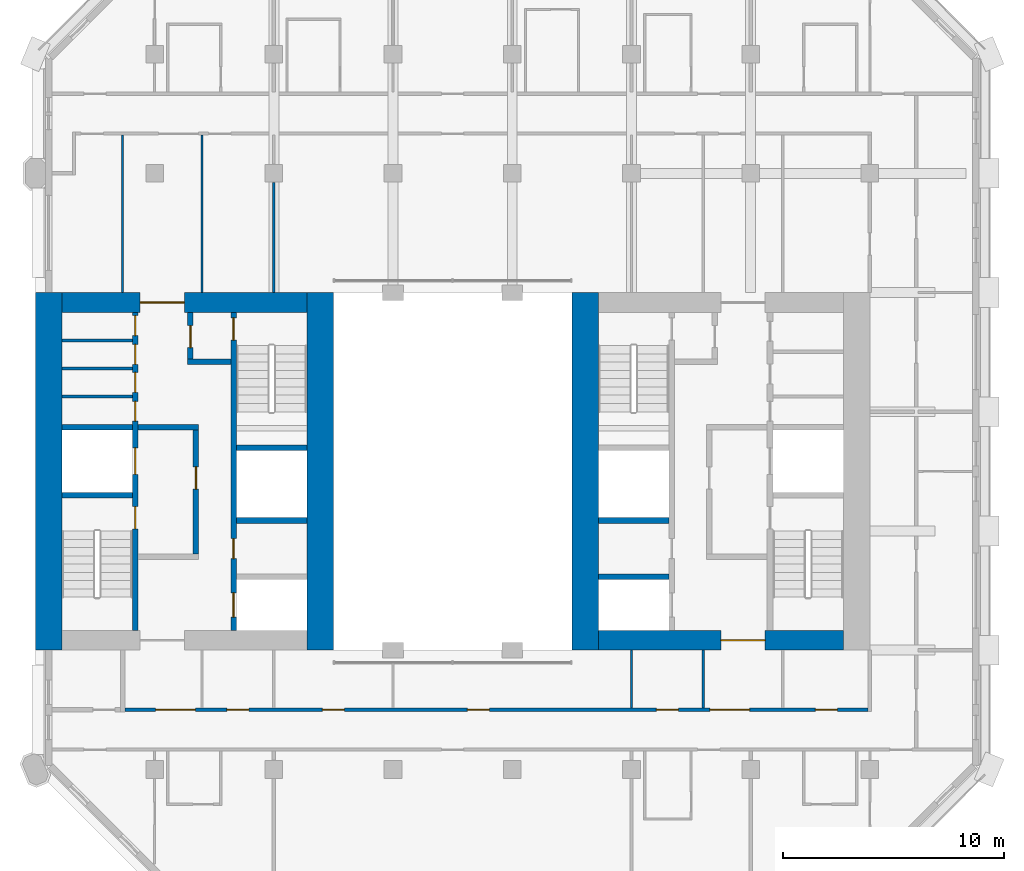
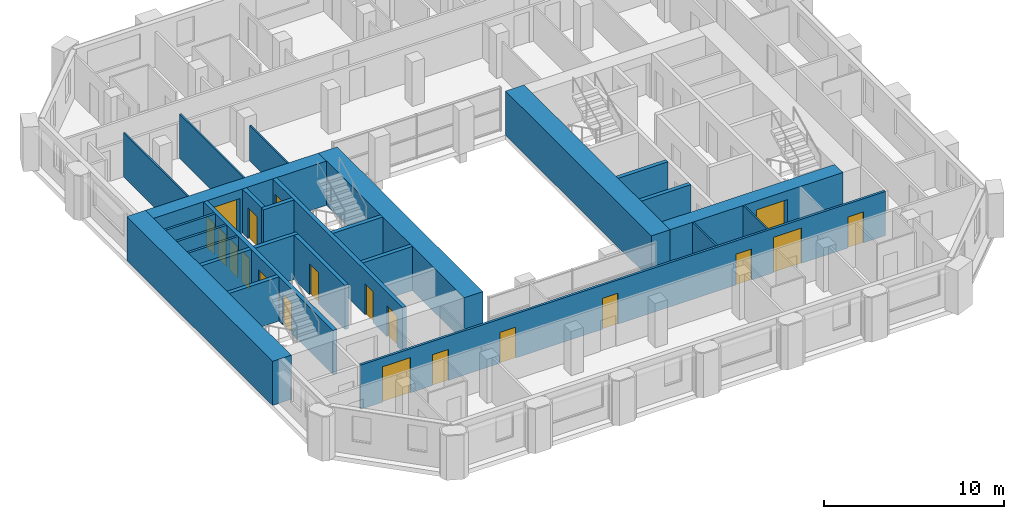
# One storey, part 5 of 12: 26 walls, 20 doors, 20 openings.
"""IFC4 building model written with IfcOpenShell, lengths in metres."""

from ifc_helpers import new_model, si_unit, direction, frame, frame_2d, origin, place, context, subcontext, project, spatial, rectangle, extrude, material, layer, layer_set, type_object, element, fill, save


model = new_model("IFC4")

# Units and contexts
model_context = context("Model", 3, precision=1e-05, world=origin(), true_north=direction((0.0, 1.0)))
body_context = subcontext(model_context, "Body", "Model", "MODEL_VIEW")
ifc_project = project(units=[si_unit("LENGTHUNIT", "METRE"), si_unit("AREAUNIT", "SQUARE_METRE"), si_unit("VOLUMEUNIT", "CUBIC_METRE"), si_unit("PLANEANGLEUNIT", "RADIAN"), si_unit("MASSUNIT", "GRAM", prefix="KILO")], contexts=[model_context])

# Site, building, storey
site_placement = place(None, origin())
site = spatial("IfcSite", under=ifc_project, at=site_placement, CompositionType="ELEMENT")
building_placement = place(site_placement, origin())
building = spatial("IfcBuilding", under=site, at=building_placement, Name="Tabaq Tower and Sports Hall", CompositionType="ELEMENT")
storey_placement = place(building_placement, frame((0.0, 0.0, 197.199951171875)))
storey = spatial("IfcBuildingStorey", under=building, at=storey_placement, Name="L48", CompositionType="ELEMENT", Elevation=197.199951171875)

# Walls
ifc_material_1 = material(Name="Blockwork", Category="masonry")
ifc_layer_1 = layer(ifc_material_1, 0.14990234375)
ifc_layer_set_1 = layer_set([ifc_layer_1], Name="Core room partition 150 Blockwork")
wall_type_1 = type_object("IfcWallType", Name="Core room partition 150 Blockwork", PredefinedType="PARTITIONING", material=ifc_layer_set_1)
for number, where, z_axis, x_axis, name in (
    (1, (6.60009765625, 27.694091796875, 0.0), (0.0, 0.0, 1.0), (1.0, 0.0, 0.0), "Core room partition W L48"),
    (2, (6.60009765625, 28.962890625, 0.0), (0.0, 0.0, 1.0), (1.0, 0.0, 0.0), "Core room partition W L48"),
    (3, (6.60009765625, 30.23193359375, 0.0), (0.0, 0.0, 1.0), (1.0, 0.0, 0.0), "Core room partition W L48"),
):
    element("IfcWall", number, at=place(storey_placement, frame(where, z_axis=z_axis, x_axis=x_axis)), inside=storey, type_object=wall_type_1, Name=name, PredefinedType="PARTITIONING", context=body_context, shape_type="SweptSolid", body=[
        extrude(rectangle(XDim=3.199951171875, YDim=0.14990234375, at=frame_2d((1.60009765625, 0.0))), origin(), (0.0, 0.0, 1.0), 3.0),
    ])
ifc_material_2 = material(Name="Concrete C50/60", Category="concrete")
ifc_layer_2 = layer(ifc_material_2, 1.199951171875)
ifc_layer_set_2 = layer_set([ifc_layer_2], Name="Core wall 1200 Concrete C50/60")
wall_type_2 = type_object("IfcWallType", Name="Core wall 1200 Concrete C50/60", PredefinedType="SOLIDWALL", material=ifc_layer_set_2)
for number, where, z_axis, x_axis, name in (
    (4, (6.0, 16.199951171875, 0.0), (0.0, 0.0, 1.0), (0.0, 1.0, 0.0), "Core wall W L48"),
    (5, (18.300048828125, 32.39990234375, 0.0), (0.0, 0.0, 1.0), (0.0, -1.0, 0.0), "Core wall W L48"),
    (6, (30.300048828125, 16.199951171875, 0.0), (0.0, 0.0, 1.0), (0.0, 1.0, 0.0), "Core wall E L48"),
):
    element("IfcWall", number, at=place(storey_placement, frame(where, z_axis=z_axis, x_axis=x_axis)), inside=storey, type_object=wall_type_2, Name=name, PredefinedType="SOLIDWALL", context=body_context, shape_type="SweptSolid", body=[
        extrude(rectangle(XDim=16.199951171875, YDim=1.199951171875, at=frame_2d((8.10009765625, 0.0))), origin(), (0.0, 0.0, 1.0), 3.0),
    ])

# Wall, opening, door
ifc_material_3 = material(Name="Concrete C50/60", Category="concrete")
ifc_layer_3 = layer(ifc_material_3, 0.89990234375)
ifc_layer_set_3 = layer_set([ifc_layer_3], Name="Core wall 900 Concrete C50/60")
wall_type_3 = type_object("IfcWallType", Name="Core wall 900 Concrete C50/60", PredefinedType="SOLIDWALL", material=ifc_layer_set_3)
wall_1_placement = place(storey_placement, frame((6.60009765625, 31.949951171875, 0.0), z_axis=(0.0, 0.0, 1.0), x_axis=(1.0, 0.0, 0.0)))
wall_1 = element("IfcWall", 7, at=wall_1_placement, inside=storey, type_object=wall_type_3, Name="Core wall W L48", PredefinedType="SOLIDWALL", context=body_context, shape_type="SweptSolid", body=[
    extrude(rectangle(XDim=11.099853515625, YDim=0.89990234375, at=frame_2d((5.5498046875, 0.0))), origin(), (0.0, 0.0, 1.0), 3.0),
])
opening_1_placement = place(wall_1_placement, frame((3.550048828125, 0.0, 0.0)))
opening_1 = element("IfcOpeningElement", 8, at=opening_1_placement, cuts=wall_1, Name="Opening PD-WL48-02", PredefinedType="OPENING", context=body_context, shape_type="SweptSolid", body=[
    extrude(rectangle(XDim=2.0, YDim=2.39990234375, at=frame_2d((1.0, 1.199951171875))), frame((0.0, 0.449951171875, 0.0), z_axis=(0.0, -1.0, 0.0), x_axis=(1.0, 0.0, 0.0)), (0.0, 0.0, 1.0), 0.89990234375),
])
ifc_material_4 = material(Name="Steel fire door", Category="steel")
door_type_1 = type_object("IfcDoorType", Name="Core entrance door 2000", OperationType="DOUBLE_DOOR_SINGLE_SWING", PredefinedType="DOOR", material=ifc_material_4)
door_1_placement = place(opening_1_placement, origin())
door_1 = element("IfcDoor", 9, at=door_1_placement, inside=storey, type_object=door_type_1, Name="Core entrance north W L48", OperationType="DOUBLE_DOOR_SINGLE_SWING", OverallHeight=2.39990234375, OverallWidth=2.0, PredefinedType="DOOR", context=body_context, shape_type="SweptSolid", body=[
    extrude(rectangle(XDim=2.0, YDim=2.39990234375, at=frame_2d((1.0, 1.199951171875))), frame((0.0, 0.02490234375, 0.0), z_axis=(0.0, -1.0, 0.0), x_axis=(1.0, 0.0, 0.0)), (0.0, 0.0, 1.0), 0.050048828125),
])
fill(opening_1, door_1)

wall_2_placement = place(storey_placement, frame((42.0, 16.64990234375, 0.0), z_axis=(0.0, 0.0, 1.0), x_axis=(-1.0, 0.0, 0.0)))
wall_2 = element("IfcWall", 10, at=wall_2_placement, inside=storey, type_object=wall_type_3, Name="Core wall E L48", PredefinedType="SOLIDWALL", context=body_context, shape_type="SweptSolid", body=[
    extrude(rectangle(XDim=11.10009765625, YDim=0.89990234375, at=frame_2d((5.550048828125, 0.0))), origin(), (0.0, 0.0, 1.0), 3.0),
])
opening_2_placement = place(wall_2_placement, frame((3.550048828125, 0.0, 0.0)))
opening_2 = element("IfcOpeningElement", 11, at=opening_2_placement, cuts=wall_2, Name="Opening PD-EL48-01", PredefinedType="OPENING", context=body_context, shape_type="SweptSolid", body=[
    extrude(rectangle(XDim=2.0, YDim=2.39990234375, at=frame_2d((1.0, 1.199951171875))), frame((0.0, 0.449951171875, 0.0), z_axis=(0.0, -1.0, 0.0), x_axis=(1.0, 0.0, 0.0)), (0.0, 0.0, 1.0), 0.89990234375),
])
door_2_placement = place(opening_2_placement, origin())
door_2 = element("IfcDoor", 12, at=door_2_placement, inside=storey, type_object=door_type_1, Name="Core entrance south E L48", OperationType="DOUBLE_DOOR_SINGLE_SWING", OverallHeight=2.39990234375, OverallWidth=2.0, PredefinedType="DOOR", context=body_context, shape_type="SweptSolid", body=[
    extrude(rectangle(XDim=2.0, YDim=2.39990234375, at=frame_2d((1.0, 1.199951171875))), frame((0.0, 0.02490234375, 0.0), z_axis=(0.0, -1.0, 0.0), x_axis=(1.0, 0.0, 0.0)), (0.0, 0.0, 1.0), 0.050048828125),
])
fill(opening_2, door_2)

# Walls
ifc_material_5 = material(Name="Gypsum board on steel studs", Category="steel")
ifc_layer_4 = layer(ifc_material_5, 0.10009765625)
ifc_layer_set_4 = layer_set([ifc_layer_4], Name="Partition 100 Gypsum board")
wall_type_4 = type_object("IfcWallType", Name="Partition 100 Gypsum board", PredefinedType="PARTITIONING", material=ifc_layer_set_4)
wall_3_placement = place(storey_placement, frame((16.199951171875, 37.3798828125, 0.0), z_axis=(0.0, 0.0, 1.0), x_axis=(0.0, -1.0, 0.0)))
element("IfcWall", 13, at=wall_3_placement, inside=storey, type_object=wall_type_4, Name="Partition wall L48", PredefinedType="PARTITIONING", context=body_context, shape_type="SweptSolid", body=[
    extrude(rectangle(XDim=4.97998046875, YDim=0.10009765625, at=frame_2d((2.489990234375, 0.0))), origin(), (0.0, 0.0, 1.0), 2.400146484375),
])
for number, where, z_axis, x_axis, name in (
    (14, (9.35009765625, 39.52490234375, 0.0), (0.0, 0.0, 1.0), (0.0, -1.0, 0.0), "Partition wall L48"),
    (15, (12.949951171875, 32.39990234375, 0.0), (0.0, 0.0, 1.0), (0.0, 1.0, 0.0), "Partition wall L48"),
):
    element("IfcWall", number, at=place(storey_placement, frame(where, z_axis=z_axis, x_axis=x_axis)), inside=storey, type_object=wall_type_4, Name=name, PredefinedType="PARTITIONING", context=body_context, shape_type="SweptSolid", body=[
        extrude(rectangle(XDim=7.125, YDim=0.10009765625, at=frame_2d((3.5625, 0.0))), origin(), (0.0, 0.0, 1.0), 3.0),
    ])
for number, where, z_axis, x_axis, name in (
    (16, (32.39990234375, 13.574951171875, 0.0), (0.0, 0.0, 1.0), (0.0, 1.0, 0.0), "Partition wall L48"),
    (17, (35.64990234375, 16.199951171875, 0.0), (0.0, 0.0, 1.0), (0.0, -1.0, 0.0), "Partition wall L48"),
):
    element("IfcWall", number, at=place(storey_placement, frame(where, z_axis=z_axis, x_axis=x_axis)), inside=storey, type_object=wall_type_4, Name=name, PredefinedType="PARTITIONING", context=body_context, shape_type="SweptSolid", body=[
        extrude(rectangle(XDim=2.625, YDim=0.10009765625, at=frame_2d((1.3125, 0.0))), origin(), (0.0, 0.0, 1.0), 3.0),
    ])

# Wall, openings, doors
ifc_material_6 = material(Name="Blockwork", Category="masonry")
ifc_layer_5 = layer(ifc_material_6, 0.14990234375)
ifc_layer_set_5 = layer_set([ifc_layer_5], Name="Separating wall 150 Blockwork")
wall_type_5 = type_object("IfcWallType", Name="Separating wall 150 Blockwork", PredefinedType="PARTITIONING", material=ifc_layer_set_5)
wall_4_placement = place(storey_placement, frame((9.449951171875, 13.5, 0.0), z_axis=(0.0, 0.0, 1.0), x_axis=(1.0, 0.0, 0.0)))
wall_4 = element("IfcWall", 18, at=wall_4_placement, inside=storey, type_object=wall_type_5, Name="Separating wall L48", PredefinedType="PARTITIONING", context=body_context, shape_type="SweptSolid", body=[
    extrude(rectangle(XDim=33.675048828125, YDim=0.14990234375, at=frame_2d((16.83740234375, 0.0))), origin(), (0.0, 0.0, 1.0), 3.0),
])
opening_3_placement = place(wall_4_placement, frame((8.949951171875, 0.0, 0.0)))
opening_3 = element("IfcOpeningElement", 19, at=opening_3_placement, cuts=wall_4, Name="Opening L48-018", PredefinedType="OPENING", context=body_context, shape_type="SweptSolid", body=[
    extrude(rectangle(XDim=1.0, YDim=2.10009765625, at=frame_2d((0.5, 1.050048828125))), frame((0.0, 0.074951171875, 0.0), z_axis=(0.0, -1.0, 0.0), x_axis=(1.0, 0.0, 0.0)), (0.0, 0.0, 1.0), 0.14990234375),
])
opening_4_placement = place(wall_4_placement, frame((15.51708984375, 0.0, 0.0)))
opening_4 = element("IfcOpeningElement", 20, at=opening_4_placement, cuts=wall_4, Name="Opening L48-019", PredefinedType="OPENING", context=body_context, shape_type="SweptSolid", body=[
    extrude(rectangle(XDim=1.0, YDim=2.10009765625, at=frame_2d((0.5, 1.050048828125))), frame((0.0, 0.074951171875, 0.0), z_axis=(0.0, -1.0, 0.0), x_axis=(1.0, 0.0, 0.0)), (0.0, 0.0, 1.0), 0.14990234375),
])
opening_5_placement = place(wall_4_placement, frame((24.074951171875, 0.0, 0.0)))
opening_5 = element("IfcOpeningElement", 21, at=opening_5_placement, cuts=wall_4, Name="Opening L48-022", PredefinedType="OPENING", context=body_context, shape_type="SweptSolid", body=[
    extrude(rectangle(XDim=1.0, YDim=2.10009765625, at=frame_2d((0.5, 1.050048828125))), frame((0.0, 0.074951171875, 0.0), z_axis=(0.0, -1.0, 0.0), x_axis=(1.0, 0.0, 0.0)), (0.0, 0.0, 1.0), 0.14990234375),
])
opening_6_placement = place(wall_4_placement, frame((31.27490234375, 0.0, 0.0)))
opening_6 = element("IfcOpeningElement", 22, at=opening_6_placement, cuts=wall_4, Name="Opening L48-023", PredefinedType="OPENING", context=body_context, shape_type="SweptSolid", body=[
    extrude(rectangle(XDim=1.0, YDim=2.10009765625, at=frame_2d((0.5, 1.050048828125))), frame((0.0, 0.074951171875, 0.0), z_axis=(0.0, -1.0, 0.0), x_axis=(1.0, 0.0, 0.0)), (0.0, 0.0, 1.0), 0.14990234375),
])
opening_7_placement = place(wall_4_placement, frame((4.625, 0.0, 0.0)))
opening_7 = element("IfcOpeningElement", 23, at=opening_7_placement, cuts=wall_4, Name="Opening L48-024", PredefinedType="OPENING", context=body_context, shape_type="SweptSolid", body=[
    extrude(rectangle(XDim=1.0, YDim=2.10009765625, at=frame_2d((0.5, 1.050048828125))), frame((0.0, 0.074951171875, 0.0), z_axis=(0.0, -1.0, 0.0), x_axis=(1.0, 0.0, 0.0)), (0.0, 0.0, 1.0), 0.14990234375),
])
opening_8_placement = place(wall_4_placement, frame((1.39990234375, 0.0, 0.0)))
opening_8 = element("IfcOpeningElement", 24, at=opening_8_placement, cuts=wall_4, Name="Opening L48-040", PredefinedType="OPENING", context=body_context, shape_type="SweptSolid", body=[
    extrude(rectangle(XDim=1.800048828125, YDim=2.39990234375, at=frame_2d((0.89990234375, 1.199951171875))), frame((0.0, 0.074951171875, 0.0), z_axis=(0.0, -1.0, 0.0), x_axis=(1.0, 0.0, 0.0)), (0.0, 0.0, 1.0), 0.14990234375),
])
opening_9_placement = place(wall_4_placement, frame((26.5, 0.0, 0.0)))
opening_9 = element("IfcOpeningElement", 25, at=opening_9_placement, cuts=wall_4, Name="Opening L48-041", PredefinedType="OPENING", context=body_context, shape_type="SweptSolid", body=[
    extrude(rectangle(XDim=1.800048828125, YDim=2.39990234375, at=frame_2d((0.89990234375, 1.199951171875))), frame((0.0, 0.074951171875, 0.0), z_axis=(0.0, -1.0, 0.0), x_axis=(1.0, 0.0, 0.0)), (0.0, 0.0, 1.0), 0.14990234375),
])
ifc_material_7 = material(Name="Timber leaf in steel frame", Category="steel")
door_type_2 = type_object("IfcDoorType", Name="Internal door 1000 left hand", OperationType="SINGLE_SWING_LEFT", PredefinedType="DOOR", material=ifc_material_7)
door_3_placement = place(opening_3_placement, origin())
door_3 = element("IfcDoor", 26, at=door_3_placement, inside=storey, type_object=door_type_2, Name="Internal door L48-018", OperationType="SINGLE_SWING_LEFT", OverallHeight=2.10009765625, OverallWidth=1.0, PredefinedType="DOOR", context=body_context, shape_type="SweptSolid", body=[
    extrude(rectangle(XDim=1.0, YDim=2.10009765625, at=frame_2d((0.5, 1.050048828125))), frame((0.0, 0.02490234375, 0.0), z_axis=(0.0, -1.0, 0.0), x_axis=(1.0, 0.0, 0.0)), (0.0, 0.0, 1.0), 0.050048828125),
])
fill(opening_3, door_3)
door_4_placement = place(opening_4_placement, origin())
door_4 = element("IfcDoor", 27, at=door_4_placement, inside=storey, type_object=door_type_2, Name="Internal door L48-019", OperationType="SINGLE_SWING_LEFT", OverallHeight=2.10009765625, OverallWidth=1.0, PredefinedType="DOOR", context=body_context, shape_type="SweptSolid", body=[
    extrude(rectangle(XDim=1.0, YDim=2.10009765625, at=frame_2d((0.5, 1.050048828125))), frame((0.0, 0.02490234375, 0.0), z_axis=(0.0, -1.0, 0.0), x_axis=(1.0, 0.0, 0.0)), (0.0, 0.0, 1.0), 0.050048828125),
])
fill(opening_4, door_4)
door_5_placement = place(opening_6_placement, origin())
door_5 = element("IfcDoor", 28, at=door_5_placement, inside=storey, type_object=door_type_2, Name="Internal door L48-023", OperationType="SINGLE_SWING_LEFT", OverallHeight=2.10009765625, OverallWidth=1.0, PredefinedType="DOOR", context=body_context, shape_type="SweptSolid", body=[
    extrude(rectangle(XDim=1.0, YDim=2.10009765625, at=frame_2d((0.5, 1.050048828125))), frame((0.0, 0.02490234375, 0.0), z_axis=(0.0, -1.0, 0.0), x_axis=(1.0, 0.0, 0.0)), (0.0, 0.0, 1.0), 0.050048828125),
])
fill(opening_6, door_5)
door_6_placement = place(opening_7_placement, origin())
door_6 = element("IfcDoor", 29, at=door_6_placement, inside=storey, type_object=door_type_2, Name="Internal door L48-024", OperationType="SINGLE_SWING_LEFT", OverallHeight=2.10009765625, OverallWidth=1.0, PredefinedType="DOOR", context=body_context, shape_type="SweptSolid", body=[
    extrude(rectangle(XDim=1.0, YDim=2.10009765625, at=frame_2d((0.5, 1.050048828125))), frame((0.0, 0.02490234375, 0.0), z_axis=(0.0, -1.0, 0.0), x_axis=(1.0, 0.0, 0.0)), (0.0, 0.0, 1.0), 0.050048828125),
])
fill(opening_7, door_6)
ifc_material_8 = material(Name="Timber leaf in steel frame", Category="steel")
door_type_3 = type_object("IfcDoorType", Name="Internal door 1000 right hand", OperationType="SINGLE_SWING_RIGHT", PredefinedType="DOOR", material=ifc_material_8)
door_7_placement = place(opening_5_placement, origin())
door_7 = element("IfcDoor", 30, at=door_7_placement, inside=storey, type_object=door_type_3, Name="Internal door L48-022", OperationType="SINGLE_SWING_RIGHT", OverallHeight=2.10009765625, OverallWidth=1.0, PredefinedType="DOOR", context=body_context, shape_type="SweptSolid", body=[
    extrude(rectangle(XDim=1.0, YDim=2.10009765625, at=frame_2d((0.5, 1.050048828125))), frame((0.0, 0.02490234375, 0.0), z_axis=(0.0, -1.0, 0.0), x_axis=(1.0, 0.0, 0.0)), (0.0, 0.0, 1.0), 0.050048828125),
])
fill(opening_5, door_7)
ifc_material_9 = material(Name="Timber leaf in steel frame", Category="steel")
door_type_4 = type_object("IfcDoorType", Name="Internal door 1800", OperationType="DOUBLE_DOOR_SINGLE_SWING", PredefinedType="DOOR", material=ifc_material_9)
door_8_placement = place(opening_8_placement, origin())
door_8 = element("IfcDoor", 31, at=door_8_placement, inside=storey, type_object=door_type_4, Name="Internal door L48-040", OperationType="DOUBLE_DOOR_SINGLE_SWING", OverallHeight=2.39990234375, OverallWidth=1.800048828125, PredefinedType="DOOR", context=body_context, shape_type="SweptSolid", body=[
    extrude(rectangle(XDim=1.800048828125, YDim=2.39990234375, at=frame_2d((0.89990234375, 1.199951171875))), frame((0.0, 0.02490234375, 0.0), z_axis=(0.0, -1.0, 0.0), x_axis=(1.0, 0.0, 0.0)), (0.0, 0.0, 1.0), 0.050048828125),
])
fill(opening_8, door_8)
door_9_placement = place(opening_9_placement, origin())
door_9 = element("IfcDoor", 32, at=door_9_placement, inside=storey, type_object=door_type_4, Name="Internal door L48-041", OperationType="DOUBLE_DOOR_SINGLE_SWING", OverallHeight=2.39990234375, OverallWidth=1.800048828125, PredefinedType="DOOR", context=body_context, shape_type="SweptSolid", body=[
    extrude(rectangle(XDim=1.800048828125, YDim=2.39990234375, at=frame_2d((0.89990234375, 1.199951171875))), frame((0.0, 0.02490234375, 0.0), z_axis=(0.0, -1.0, 0.0), x_axis=(1.0, 0.0, 0.0)), (0.0, 0.0, 1.0), 0.050048828125),
])
fill(opening_9, door_9)

ifc_material_10 = material(Name="Concrete C40/50", Category="concrete")
ifc_layer_6 = layer(ifc_material_10, 0.25)
ifc_layer_set_6 = layer_set([ifc_layer_6], Name="Shaft and stair wall 250 Concrete C40/50")
wall_type_6 = type_object("IfcWallType", Name="Shaft and stair wall 250 Concrete C40/50", PredefinedType="SOLIDWALL", material=ifc_layer_set_6)
wall_5_placement = place(storey_placement, frame((9.925048828125, 17.10009765625, 0.0), z_axis=(0.0, 0.0, 1.0), x_axis=(0.0, 1.0, 0.0)))
wall_5 = element("IfcWall", 33, at=wall_5_placement, inside=storey, type_object=wall_type_6, Name="Shaft wall W L48", PredefinedType="SOLIDWALL", context=body_context, shape_type="SweptSolid", body=[
    extrude(rectangle(XDim=14.39990234375, YDim=0.25, at=frame_2d((7.199951171875, 0.0))), origin(), (0.0, 0.0, 1.0), 3.0),
])
opening_10_placement = place(wall_5_placement, frame((4.60009765625, 0.0, 0.0)))
opening_10 = element("IfcOpeningElement", 34, at=opening_10_placement, cuts=wall_5, Name="Opening SD-WL48-03", PredefinedType="OPENING", context=body_context, shape_type="SweptSolid", body=[
    extrude(rectangle(XDim=1.0, YDim=2.10009765625, at=frame_2d((0.5, 1.050048828125))), frame((0.0, 0.125, 0.0), z_axis=(0.0, -1.0, 0.0), x_axis=(1.0, 0.0, 0.0)), (0.0, 0.0, 1.0), 0.25),
])
opening_11_placement = place(wall_5_placement, frame((7.0625, 0.0, 0.0)))
opening_11 = element("IfcOpeningElement", 35, at=opening_11_placement, cuts=wall_5, Name="Opening LD-FF1-L48", PredefinedType="OPENING", context=body_context, shape_type="SweptSolid", body=[
    extrude(rectangle(XDim=1.199951171875, YDim=2.10009765625, at=frame_2d((0.60009765625, 1.050048828125))), frame((0.0, 0.125, 0.0), z_axis=(0.0, -1.0, 0.0), x_axis=(1.0, 0.0, 0.0)), (0.0, 0.0, 1.0), 0.25),
])
opening_12_placement = place(wall_5_placement, frame((9.471923828125, 0.0, 0.0)))
opening_12 = element("IfcOpeningElement", 36, at=opening_12_placement, cuts=wall_5, Name="Opening RD-WL48-09", PredefinedType="OPENING", context=body_context, shape_type="SweptSolid", body=[
    extrude(rectangle(XDim=0.89990234375, YDim=2.10009765625, at=frame_2d((0.449951171875, 1.050048828125))), frame((0.0, 0.125, 0.0), z_axis=(0.0, -1.0, 0.0), x_axis=(1.0, 0.0, 0.0)), (0.0, 0.0, 1.0), 0.25),
])
opening_13_placement = place(wall_5_placement, frame((10.778564453125, 0.0, 0.0)))
opening_13 = element("IfcOpeningElement", 37, at=opening_13_placement, cuts=wall_5, Name="Opening RD-WL48-10", PredefinedType="OPENING", context=body_context, shape_type="SweptSolid", body=[
    extrude(rectangle(XDim=0.89990234375, YDim=2.10009765625, at=frame_2d((0.449951171875, 1.050048828125))), frame((0.0, 0.125, 0.0), z_axis=(0.0, -1.0, 0.0), x_axis=(1.0, 0.0, 0.0)), (0.0, 0.0, 1.0), 0.25),
])
opening_14_placement = place(wall_5_placement, frame((12.047607421875, 0.0, 0.0)))
opening_14 = element("IfcOpeningElement", 38, at=opening_14_placement, cuts=wall_5, Name="Opening RD-WL48-11", PredefinedType="OPENING", context=body_context, shape_type="SweptSolid", body=[
    extrude(rectangle(XDim=0.89990234375, YDim=2.10009765625, at=frame_2d((0.449951171875, 1.050048828125))), frame((0.0, 0.125, 0.0), z_axis=(0.0, -1.0, 0.0), x_axis=(1.0, 0.0, 0.0)), (0.0, 0.0, 1.0), 0.25),
])
opening_15_placement = place(wall_5_placement, frame((13.353515625, 0.0, 0.0)))
opening_15 = element("IfcOpeningElement", 39, at=opening_15_placement, cuts=wall_5, Name="Opening RD-WL48-12", PredefinedType="OPENING", context=body_context, shape_type="SweptSolid", body=[
    extrude(rectangle(XDim=0.89990234375, YDim=2.10009765625, at=frame_2d((0.449951171875, 1.050048828125))), frame((0.0, 0.125, 0.0), z_axis=(0.0, -1.0, 0.0), x_axis=(1.0, 0.0, 0.0)), (0.0, 0.0, 1.0), 0.25),
])
ifc_material_11 = material(Name="Steel fire door", Category="steel")
door_type_5 = type_object("IfcDoorType", Name="Core room door 900", OperationType="SINGLE_SWING_LEFT", PredefinedType="DOOR", material=ifc_material_11)
door_10_placement = place(opening_12_placement, origin())
door_10 = element("IfcDoor", 40, at=door_10_placement, inside=storey, type_object=door_type_5, Name="Door Cleaner's Store W L48", OperationType="SINGLE_SWING_LEFT", OverallHeight=2.10009765625, OverallWidth=0.89990234375, PredefinedType="DOOR", context=body_context, shape_type="SweptSolid", body=[
    extrude(rectangle(XDim=0.89990234375, YDim=2.10009765625, at=frame_2d((0.449951171875, 1.050048828125))), frame((0.0, 0.02490234375, 0.0), z_axis=(0.0, -1.0, 0.0), x_axis=(1.0, 0.0, 0.0)), (0.0, 0.0, 1.0), 0.050048828125),
])
fill(opening_12, door_10)
door_11_placement = place(opening_13_placement, origin())
door_11 = element("IfcDoor", 41, at=door_11_placement, inside=storey, type_object=door_type_5, Name="Door Gents WC W L48", OperationType="SINGLE_SWING_LEFT", OverallHeight=2.10009765625, OverallWidth=0.89990234375, PredefinedType="DOOR", context=body_context, shape_type="SweptSolid", body=[
    extrude(rectangle(XDim=0.89990234375, YDim=2.10009765625, at=frame_2d((0.449951171875, 1.050048828125))), frame((0.0, 0.02490234375, 0.0), z_axis=(0.0, -1.0, 0.0), x_axis=(1.0, 0.0, 0.0)), (0.0, 0.0, 1.0), 0.050048828125),
])
fill(opening_13, door_11)
door_12_placement = place(opening_14_placement, origin())
door_12 = element("IfcDoor", 42, at=door_12_placement, inside=storey, type_object=door_type_5, Name="Door Ladies WC W L48", OperationType="SINGLE_SWING_LEFT", OverallHeight=2.10009765625, OverallWidth=0.89990234375, PredefinedType="DOOR", context=body_context, shape_type="SweptSolid", body=[
    extrude(rectangle(XDim=0.89990234375, YDim=2.10009765625, at=frame_2d((0.449951171875, 1.050048828125))), frame((0.0, 0.02490234375, 0.0), z_axis=(0.0, -1.0, 0.0), x_axis=(1.0, 0.0, 0.0)), (0.0, 0.0, 1.0), 0.050048828125),
])
fill(opening_14, door_12)
door_13_placement = place(opening_15_placement, origin())
door_13 = element("IfcDoor", 43, at=door_13_placement, inside=storey, type_object=door_type_5, Name="Door Accessible WC W L48", OperationType="SINGLE_SWING_LEFT", OverallHeight=2.10009765625, OverallWidth=0.89990234375, PredefinedType="DOOR", context=body_context, shape_type="SweptSolid", body=[
    extrude(rectangle(XDim=0.89990234375, YDim=2.10009765625, at=frame_2d((0.449951171875, 1.050048828125))), frame((0.0, 0.02490234375, 0.0), z_axis=(0.0, -1.0, 0.0), x_axis=(1.0, 0.0, 0.0)), (0.0, 0.0, 1.0), 0.050048828125),
])
fill(opening_15, door_13)
ifc_material_12 = material(Name="Stainless steel", Category="steel")
door_type_6 = type_object("IfcDoorType", Name="Lift landing door 1200", OperationType="DOUBLE_DOOR_SLIDING", PredefinedType="DOOR", material=ifc_material_12)
door_14_placement = place(opening_11_placement, origin())
door_14 = element("IfcDoor", 44, at=door_14_placement, inside=storey, type_object=door_type_6, Name="Lift landing door FF1 W L48", OperationType="DOUBLE_DOOR_SLIDING", OverallHeight=2.10009765625, OverallWidth=1.199951171875, PredefinedType="DOOR", context=body_context, shape_type="SweptSolid", body=[
    extrude(rectangle(XDim=1.199951171875, YDim=2.10009765625, at=frame_2d((0.60009765625, 1.050048828125))), frame((0.0, 0.02490234375, 0.0), z_axis=(0.0, -1.0, 0.0), x_axis=(1.0, 0.0, 0.0)), (0.0, 0.0, 1.0), 0.050048828125),
])
fill(opening_11, door_14)
ifc_material_13 = material(Name="Steel fire door", Category="steel")
door_type_7 = type_object("IfcDoorType", Name="Stair door 1000", OperationType="SINGLE_SWING_LEFT", PredefinedType="DOOR", material=ifc_material_13)
door_15_placement = place(opening_10_placement, origin())
door_15 = element("IfcDoor", 45, at=door_15_placement, inside=storey, type_object=door_type_7, Name="Stair door ST1 W L48", OperationType="SINGLE_SWING_LEFT", OverallHeight=2.10009765625, OverallWidth=1.0, PredefinedType="DOOR", context=body_context, shape_type="SweptSolid", body=[
    extrude(rectangle(XDim=1.0, YDim=2.10009765625, at=frame_2d((0.5, 1.050048828125))), frame((0.0, 0.02490234375, 0.0), z_axis=(0.0, -1.0, 0.0), x_axis=(1.0, 0.0, 0.0)), (0.0, 0.0, 1.0), 0.050048828125),
])
fill(opening_10, door_15)

wall_6_placement = place(storey_placement, frame((14.375, 17.10009765625, 0.0), z_axis=(0.0, 0.0, 1.0), x_axis=(0.0, 1.0, 0.0)))
wall_6 = element("IfcWall", 46, at=wall_6_placement, inside=storey, type_object=wall_type_6, Name="Shaft wall W L48", PredefinedType="SOLIDWALL", context=body_context, shape_type="SweptSolid", body=[
    extrude(rectangle(XDim=14.39990234375, YDim=0.25, at=frame_2d((7.199951171875, 0.0))), origin(), (0.0, 0.0, 1.0), 3.0),
])
opening_16_placement = place(wall_6_placement, frame((13.14990234375, 0.0, 0.0)))
opening_16 = element("IfcOpeningElement", 47, at=opening_16_placement, cuts=wall_6, Name="Opening SD-WL48-05", PredefinedType="OPENING", context=body_context, shape_type="SweptSolid", body=[
    extrude(rectangle(XDim=1.0, YDim=2.10009765625, at=frame_2d((0.5, 1.050048828125))), frame((0.0, 0.125, 0.0), z_axis=(0.0, -1.0, 0.0), x_axis=(1.0, 0.0, 0.0)), (0.0, 0.0, 1.0), 0.25),
])
opening_17_placement = place(wall_6_placement, frame((0.60009765625, 0.0, 0.0)))
opening_17 = element("IfcOpeningElement", 48, at=opening_17_placement, cuts=wall_6, Name="Opening LD-MR1-L48", PredefinedType="OPENING", context=body_context, shape_type="SweptSolid", body=[
    extrude(rectangle(XDim=1.10009765625, YDim=2.10009765625, at=frame_2d((0.550048828125, 1.050048828125))), frame((0.0, 0.125, 0.0), z_axis=(0.0, -1.0, 0.0), x_axis=(1.0, 0.0, 0.0)), (0.0, 0.0, 1.0), 0.25),
])
opening_18_placement = place(wall_6_placement, frame((3.25, 0.0, 0.0)))
opening_18 = element("IfcOpeningElement", 49, at=opening_18_placement, cuts=wall_6, Name="Opening RD-WL48-13", PredefinedType="OPENING", context=body_context, shape_type="SweptSolid", body=[
    extrude(rectangle(XDim=0.89990234375, YDim=2.10009765625, at=frame_2d((0.449951171875, 1.050048828125))), frame((0.0, 0.125, 0.0), z_axis=(0.0, -1.0, 0.0), x_axis=(1.0, 0.0, 0.0)), (0.0, 0.0, 1.0), 0.25),
])
door_16_placement = place(opening_18_placement, origin())
door_16 = element("IfcDoor", 50, at=door_16_placement, inside=storey, type_object=door_type_5, Name="Door Cleaner's Store W L48", OperationType="SINGLE_SWING_LEFT", OverallHeight=2.10009765625, OverallWidth=0.89990234375, PredefinedType="DOOR", context=body_context, shape_type="SweptSolid", body=[
    extrude(rectangle(XDim=0.89990234375, YDim=2.10009765625, at=frame_2d((0.449951171875, 1.050048828125))), frame((0.0, 0.02490234375, 0.0), z_axis=(0.0, -1.0, 0.0), x_axis=(1.0, 0.0, 0.0)), (0.0, 0.0, 1.0), 0.050048828125),
])
fill(opening_18, door_16)
ifc_material_14 = material(Name="Stainless steel", Category="steel")
door_type_8 = type_object("IfcDoorType", Name="Lift landing door 1100", OperationType="DOUBLE_DOOR_SLIDING", PredefinedType="DOOR", material=ifc_material_14)
door_17_placement = place(opening_17_placement, origin())
door_17 = element("IfcDoor", 51, at=door_17_placement, inside=storey, type_object=door_type_8, Name="Lift landing door MR1 W L48", OperationType="DOUBLE_DOOR_SLIDING", OverallHeight=2.10009765625, OverallWidth=1.10009765625, PredefinedType="DOOR", context=body_context, shape_type="SweptSolid", body=[
    extrude(rectangle(XDim=1.10009765625, YDim=2.10009765625, at=frame_2d((0.550048828125, 1.050048828125))), frame((0.0, 0.02490234375, 0.0), z_axis=(0.0, -1.0, 0.0), x_axis=(1.0, 0.0, 0.0)), (0.0, 0.0, 1.0), 0.050048828125),
])
fill(opening_17, door_17)
door_18_placement = place(opening_16_placement, origin())
door_18 = element("IfcDoor", 52, at=door_18_placement, inside=storey, type_object=door_type_7, Name="Stair door ST2 W L48", OperationType="SINGLE_SWING_LEFT", OverallHeight=2.10009765625, OverallWidth=1.0, PredefinedType="DOOR", context=body_context, shape_type="SweptSolid", body=[
    extrude(rectangle(XDim=1.0, YDim=2.10009765625, at=frame_2d((0.5, 1.050048828125))), frame((0.0, 0.02490234375, 0.0), z_axis=(0.0, -1.0, 0.0), x_axis=(1.0, 0.0, 0.0)), (0.0, 0.0, 1.0), 0.050048828125),
])
fill(opening_16, door_18)

# Walls
for number, where, z_axis, x_axis, name in (
    (53, (6.60009765625, 23.22509765625, 0.0), (0.0, 0.0, 1.0), (1.0, 0.0, 0.0), "Stair enclosure wall W L48"),
    (54, (14.5, 25.375, 0.0), (0.0, 0.0, 1.0), (1.0, 0.0, 0.0), "Stair enclosure wall W L48"),
    (55, (14.5, 22.074951171875, 0.0), (0.0, 0.0, 1.0), (1.0, 0.0, 0.0), "Shaft wall W L48"),
    (56, (6.60009765625, 26.300048828125, 0.0), (0.0, 0.0, 1.0), (1.0, 0.0, 0.0), "Shaft wall W L48"),
):
    element("IfcWall", number, at=place(storey_placement, frame(where, z_axis=z_axis, x_axis=x_axis)), inside=storey, type_object=wall_type_6, Name=name, PredefinedType="SOLIDWALL", context=body_context, shape_type="SweptSolid", body=[
        extrude(rectangle(XDim=3.199951171875, YDim=0.25, at=frame_2d((1.60009765625, 0.0))), origin(), (0.0, 0.0, 1.0), 3.0),
    ])
wall_7_placement = place(storey_placement, frame((10.050048828125, 26.300048828125, 0.0), z_axis=(0.0, 0.0, 1.0), x_axis=(1.0, 0.0, 0.0)))
element("IfcWall", 57, at=wall_7_placement, inside=storey, type_object=wall_type_6, Name="Fire-fighting lobby wall W L48", PredefinedType="SOLIDWALL", context=body_context, shape_type="SweptSolid", body=[
    extrude(rectangle(XDim=2.75, YDim=0.25, at=frame_2d((1.375, 0.0))), origin(), (0.0, 0.0, 1.0), 3.0),
])

# Wall, opening, door
wall_8_placement = place(storey_placement, frame((12.425048828125, 29.39990234375, 0.0), z_axis=(0.0, 0.0, 1.0), x_axis=(0.0, 1.0, 0.0)))
wall_8 = element("IfcWall", 58, at=wall_8_placement, inside=storey, type_object=wall_type_6, Name="Fire-fighting lobby wall W L48", PredefinedType="SOLIDWALL", context=body_context, shape_type="SweptSolid", body=[
    extrude(rectangle(XDim=2.10009765625, YDim=0.25, at=frame_2d((1.050048828125, 0.0))), origin(), (0.0, 0.0, 1.0), 3.0),
])
opening_19_placement = place(wall_8_placement, frame((0.5, 0.0, 0.0)))
opening_19 = element("IfcOpeningElement", 59, at=opening_19_placement, cuts=wall_8, Name="Opening FD-WL48-06", PredefinedType="OPENING", context=body_context, shape_type="SweptSolid", body=[
    extrude(rectangle(XDim=1.0, YDim=2.10009765625, at=frame_2d((0.5, 1.050048828125))), frame((0.0, 0.125, 0.0), z_axis=(0.0, -1.0, 0.0), x_axis=(1.0, 0.0, 0.0)), (0.0, 0.0, 1.0), 0.25),
])
ifc_material_15 = material(Name="Steel fire door", Category="steel")
door_type_9 = type_object("IfcDoorType", Name="Fire-fighting lobby door 1000", OperationType="SINGLE_SWING_LEFT", PredefinedType="DOOR", material=ifc_material_15)
door_19_placement = place(opening_19_placement, origin())
door_19 = element("IfcDoor", 60, at=door_19_placement, inside=storey, type_object=door_type_9, Name="Stair lobby door W L48", OperationType="SINGLE_SWING_LEFT", OverallHeight=2.10009765625, OverallWidth=1.0, PredefinedType="DOOR", context=body_context, shape_type="SweptSolid", body=[
    extrude(rectangle(XDim=1.0, YDim=2.10009765625, at=frame_2d((0.5, 1.050048828125))), frame((0.0, 0.02490234375, 0.0), z_axis=(0.0, -1.0, 0.0), x_axis=(1.0, 0.0, 0.0)), (0.0, 0.0, 1.0), 0.050048828125),
])
fill(opening_19, door_19)

# Wall
wall_9_placement = place(storey_placement, frame((12.300048828125, 29.27490234375, 0.0), z_axis=(0.0, 0.0, 1.0), x_axis=(1.0, 0.0, 0.0)))
element("IfcWall", 61, at=wall_9_placement, inside=storey, type_object=wall_type_6, Name="Fire-fighting lobby wall W L48", PredefinedType="SOLIDWALL", context=body_context, shape_type="SweptSolid", body=[
    extrude(rectangle(XDim=1.949951171875, YDim=0.25, at=frame_2d((0.97509765625, 0.0))), origin(), (0.0, 0.0, 1.0), 3.0),
])

# Wall, opening, door
wall_10_placement = place(storey_placement, frame((12.675048828125, 20.550048828125, 0.0), z_axis=(0.0, 0.0, 1.0), x_axis=(0.0, 1.0, 0.0)))
wall_10 = element("IfcWall", 62, at=wall_10_placement, inside=storey, type_object=wall_type_6, Name="Fire-fighting lobby wall W L48", PredefinedType="SOLIDWALL", context=body_context, shape_type="SweptSolid", body=[
    extrude(rectangle(XDim=5.625, YDim=0.25, at=frame_2d((2.8125, 0.0))), origin(), (0.0, 0.0, 1.0), 3.0),
])
opening_20_placement = place(wall_10_placement, frame((2.949951171875, 0.0, 0.0)))
opening_20 = element("IfcOpeningElement", 63, at=opening_20_placement, cuts=wall_10, Name="Opening FD-WL48-04", PredefinedType="OPENING", context=body_context, shape_type="SweptSolid", body=[
    extrude(rectangle(XDim=1.0, YDim=2.10009765625, at=frame_2d((0.5, 1.050048828125))), frame((0.0, 0.125, 0.0), z_axis=(0.0, -1.0, 0.0), x_axis=(1.0, 0.0, 0.0)), (0.0, 0.0, 1.0), 0.25),
])
door_20_placement = place(opening_20_placement, origin())
door_20 = element("IfcDoor", 64, at=door_20_placement, inside=storey, type_object=door_type_9, Name="Fire-fighting lobby door W L48", OperationType="SINGLE_SWING_LEFT", OverallHeight=2.10009765625, OverallWidth=1.0, PredefinedType="DOOR", context=body_context, shape_type="SweptSolid", body=[
    extrude(rectangle(XDim=1.0, YDim=2.10009765625, at=frame_2d((0.5, 1.050048828125))), frame((0.0, 0.02490234375, 0.0), z_axis=(0.0, -1.0, 0.0), x_axis=(1.0, 0.0, 0.0)), (0.0, 0.0, 1.0), 0.050048828125),
])
fill(opening_20, door_20)

# Walls
for number, where, z_axis, x_axis, name in (
    (65, (30.89990234375, 22.074951171875, 0.0), (0.0, 0.0, 1.0), (1.0, 0.0, 0.0), "Shaft wall E L48"),
    (66, (30.89990234375, 19.52490234375, 0.0), (0.0, 0.0, 1.0), (1.0, 0.0, 0.0), "Shaft wall E L48"),
):
    element("IfcWall", number, at=place(storey_placement, frame(where, z_axis=z_axis, x_axis=x_axis)), inside=storey, type_object=wall_type_6, Name=name, PredefinedType="SOLIDWALL", context=body_context, shape_type="SweptSolid", body=[
        extrude(rectangle(XDim=3.2001953125, YDim=0.25, at=frame_2d((1.60009765625, 0.0))), origin(), (0.0, 0.0, 1.0), 3.0),
    ])

save(model, "model.ifc")
